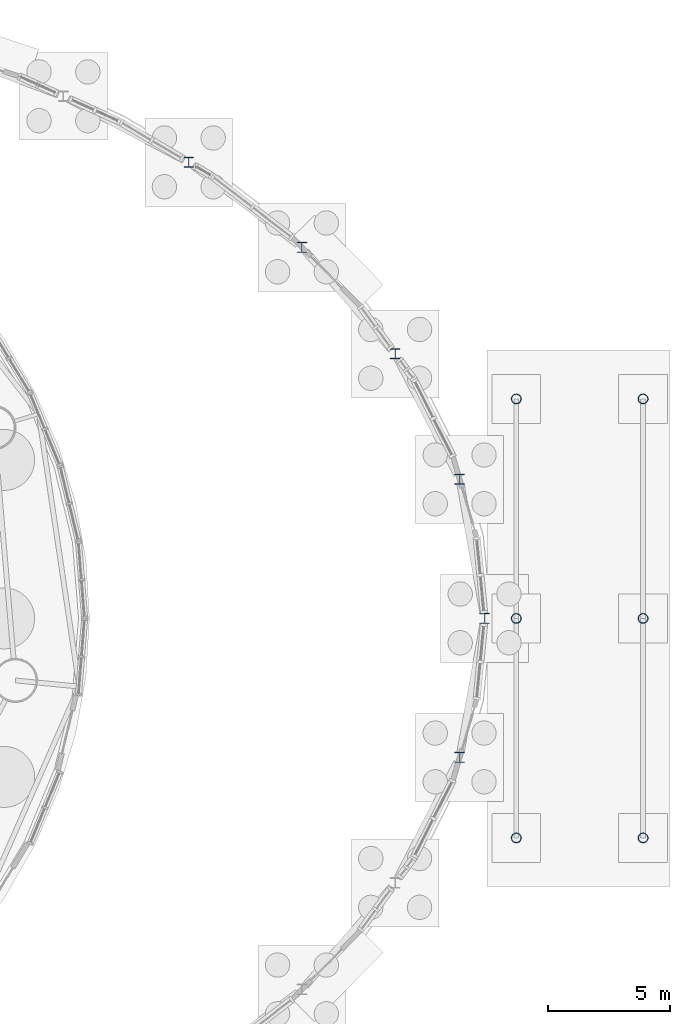
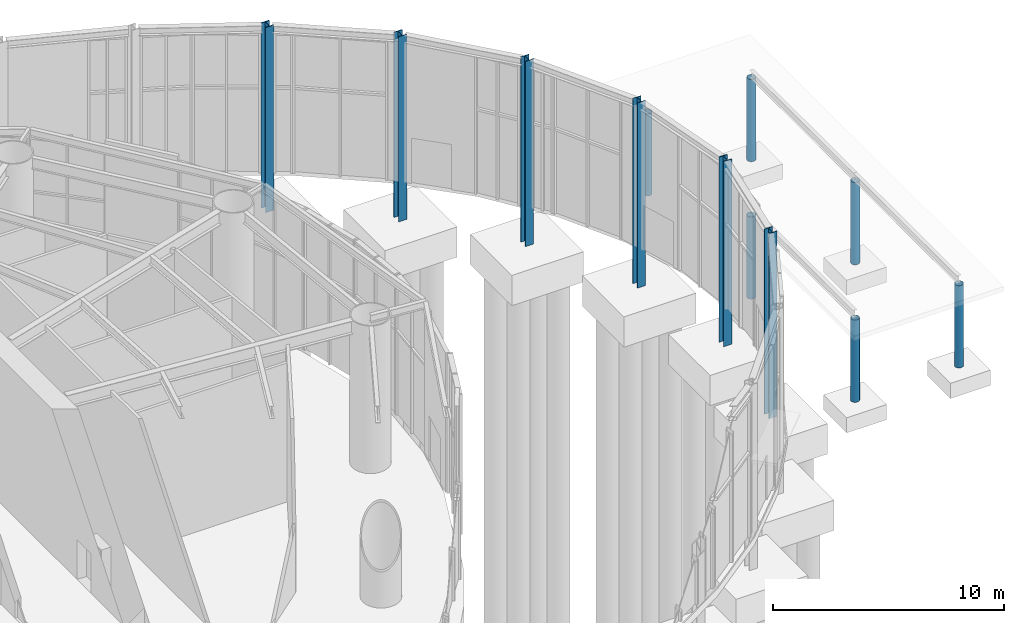
# One storey, part 4 of 27: 12 columns.
"""IFC4 building model written with IfcOpenShell, lengths in metres."""

import ifcopenshell
import ifcopenshell.guid

model = None  # the IFC model being written
_history = None  # IfcOwnerHistory: only IFC2X3 demands one
_inside = {}  # id of a spatial element -> (the spatial element, [elements in it])
_under = {}  # id of a project, library or spatial element -> (it, [spatial elements below it])
_declared = {}  # id of a project -> (the project, [libraries it declares])
_typed = {}  # id of a type object -> (the type object, [elements of that type])
_made_of = {}  # id of a material, layer set ... -> (it, [elements and type objects made of it])


def new_model(schema):
    """Start an empty IFC model of exactly this schema.

    Asked for "IFC4X3", IfcOpenShell would pick the latest addendum, in which some entities
    have other attributes; the version numbers below select the first issue.
    IFC2X3 requires an IfcOwnerHistory on every rooted entity: one is made here for all.
    """
    global model, _history
    if schema == "IFC4X3":
        model = ifcopenshell.file(schema_version=(4, 3, 0, 0))
    else:
        model = ifcopenshell.file(schema=schema)
    _inside.clear()
    _under.clear()
    _declared.clear()
    _typed.clear()
    _made_of.clear()
    _history = None
    if model.schema == "IFC2X3":
        org = make("IfcOrganization", Name="unknown")
        user = make(
            "IfcPersonAndOrganization",
            ThePerson=make("IfcPerson", FamilyName="unknown"),
            TheOrganization=org,
        )
        app = make(
            "IfcApplication",
            ApplicationDeveloper=org,
            Version="unknown",
            ApplicationFullName="unknown",
            ApplicationIdentifier="unknown",
        )
        _history = make(
            "IfcOwnerHistory",
            OwningUser=user,
            OwningApplication=app,
            ChangeAction="ADDED",
            CreationDate=0,
        )
    return model


def make(cls, **values):
    """One entity of the class cls with the attributes given. An attribute that is None is left unset."""
    return model.create_entity(
        cls, **{name: value for name, value in values.items() if value is not None}
    )


def rooted(cls, **values):
    """An entity with a GlobalId (a new one), such as an element, a storey or a relation."""
    return make(cls, GlobalId=ifcopenshell.guid.new(), OwnerHistory=_history, **values)


def si_unit(unit_type, name, prefix=None):
    """IfcSIUnit, for example si_unit("LENGTHUNIT", "METRE", prefix="MILLI")."""
    return make("IfcSIUnit", UnitType=unit_type, Prefix=prefix, Name=name)


def assignment(units):
    """IfcUnitAssignment: the units of a project."""
    return None if units is None else make("IfcUnitAssignment", Units=units)


def point(xyz):
    """IfcCartesianPoint."""
    return None if xyz is None else make("IfcCartesianPoint", Coordinates=xyz)


def direction(xyz):
    """IfcDirection."""
    return None if xyz is None else make("IfcDirection", DirectionRatios=xyz)


def frame(location, z_axis=None, x_axis=None):
    """IfcAxis2Placement3D, a coordinate frame: its origin and axes. An axis left out is left unset."""
    return make(
        "IfcAxis2Placement3D",
        Location=point(location),
        Axis=direction(z_axis),
        RefDirection=direction(x_axis),
    )


def frame_2d(location, x_axis=None):
    """IfcAxis2Placement2D, a coordinate frame in the plane: its origin and x axis."""
    return make(
        "IfcAxis2Placement2D", Location=point(location), RefDirection=direction(x_axis)
    )


def origin():
    """The frame at (0, 0, 0) with its axes left unset."""
    return frame((0.0, 0.0, 0.0))


def origin_2d():
    """The frame at (0, 0) in the plane with its x axis left unset."""
    return frame_2d((0.0, 0.0))


def place(relative_to, where):
    """IfcLocalPlacement: puts the frame where relative to a parent placement (None: the world)."""
    return make(
        "IfcLocalPlacement", PlacementRelTo=relative_to, RelativePlacement=where
    )


def context(
    kind, dimensions, precision=None, world=None, true_north=None, identifier=None
):
    """IfcGeometricRepresentationContext, for example the 3D "Model" context."""
    return make(
        "IfcGeometricRepresentationContext",
        ContextIdentifier=identifier,
        ContextType=kind,
        CoordinateSpaceDimension=dimensions,
        Precision=precision,
        WorldCoordinateSystem=world,
        TrueNorth=true_north,
    )


def subcontext(parent, identifier, kind, view, scale=None):
    """IfcGeometricRepresentationSubContext, for example "Body" below "Model"."""
    return make(
        "IfcGeometricRepresentationSubContext",
        ContextIdentifier=identifier,
        ContextType=kind,
        ParentContext=parent,
        TargetScale=scale,
        TargetView=view,
    )


def project(units=None, contexts=None):
    """IfcProject with its units and contexts."""
    return rooted(
        "IfcProject",
        Name="project",
        RepresentationContexts=contexts,
        UnitsInContext=assignment(units),
    )


def spatial(cls, under=None, at=None, **own):
    """A site, building, storey or space (cls), placed at a placement, below another one or the project."""
    s = rooted(cls, ObjectPlacement=at, **own)
    if under is not None:
        _under.setdefault(under.id(), (under, []))[1].append(s)
    return s


def profile(cls, at=None, kind="AREA", **sizes):
    """A parametric profile (cls). Its sizes go by their IFC names, for example OverallWidth=200.0."""
    return make(cls, ProfileType=kind, Position=at, **sizes)


def hollow_circle(**sizes):
    """IfcCircleHollowProfileDef."""
    return profile("IfcCircleHollowProfileDef", **sizes)


def i_section(**sizes):
    """IfcIShapeProfileDef."""
    return profile("IfcIShapeProfileDef", **sizes)


def extrude(swept, where, along, depth):
    """IfcExtrudedAreaSolid: the profile swept, set in the frame where, extruded along a direction by depth."""
    return make(
        "IfcExtrudedAreaSolid",
        SweptArea=swept,
        Position=where,
        ExtrudedDirection=direction(along),
        Depth=depth,
    )


def shape(context_of_items, identifier, shape_type, items):
    """IfcShapeRepresentation: the items that make up one representation, for example the "Body"."""
    return make(
        "IfcShapeRepresentation",
        ContextOfItems=context_of_items,
        RepresentationIdentifier=identifier,
        RepresentationType=shape_type,
        Items=items,
    )


def material(Name=None, Category=None):
    """IfcMaterial."""
    return make("IfcMaterial", Name=Name, Category=Category)


def material_profile(
    of_material, cross_section, Name=None, Category=None, Priority=None
):
    """IfcMaterialProfile: a cross section and its material."""
    return make(
        "IfcMaterialProfile",
        Name=Name,
        Material=of_material,
        Profile=cross_section,
        Priority=Priority,
        Category=Category,
    )


def profile_set(profiles, Name=None, composite=None):
    """IfcMaterialProfileSet."""
    return make(
        "IfcMaterialProfileSet",
        Name=Name,
        MaterialProfiles=profiles,
        CompositeProfile=composite,
    )


def made_of(thing, what):
    """Note that an element or type object is made of a material, layer set ...; save() writes the relation."""
    if what is not None:
        _made_of.setdefault(what.id(), (what, []))[1].append(thing)
    return thing


def type_object(cls, material=None, **own):
    """A type object (cls), such as IfcWallType, which elements share."""
    return made_of(rooted(cls, **own), material)


def element(
    cls,
    number,
    at=None,
    inside=None,
    cuts=None,
    type_object=None,
    material=None,
    context=None,
    identifier="Body",
    shape_type=None,
    held_by="IfcProductDefinitionShape",
    body=None,
    shapes=None,
    **own,
):
    """One element of the class cls, such as IfcWall. Its Tag is "e" and its number.

    at: its placement. inside: the storey or other place that contains it. cuts: it is an
    opening in that element (IfcRelVoidsElement). A single representation is given by context,
    identifier, shape_type and body (its items); several are given by shapes. held_by: the class
    of the entity that holds the representations. save() writes the other relations.
    """
    e = rooted(cls, Tag="e%d" % number, ObjectPlacement=at, **own)
    if body is not None:
        shapes = [shape(context, identifier, shape_type, body)]
    if shapes is not None:
        e.Representation = make(held_by, Representations=shapes)
    if inside is not None:
        _inside.setdefault(inside.id(), (inside, []))[1].append(e)
    if cuts is not None:
        rooted(
            "IfcRelVoidsElement", RelatingBuildingElement=cuts, RelatedOpeningElement=e
        )
    if type_object is not None:
        _typed.setdefault(type_object.id(), (type_object, []))[1].append(e)
    return made_of(e, material)


def aggregate(whole, parts):
    """IfcRelAggregates: a whole, such as a stair, and the parts it consists of."""
    return rooted("IfcRelAggregates", RelatingObject=whole, RelatedObjects=parts)


def save(model, path):
    """Write the relations noted so far, then the file.

    IfcRelAggregates (storeys below a building ...), IfcRelContainedInSpatialStructure (elements
    in a storey), IfcRelDefinesByType, IfcRelAssociatesMaterial and IfcRelDeclares: one each for
    every whole, place, type object, material and project.
    """
    for whole, parts in _under.values():
        aggregate(whole, parts)
    for where, things in _inside.values():
        rooted(
            "IfcRelContainedInSpatialStructure",
            RelatedElements=things,
            RelatingStructure=where,
        )
    for kind, things in _typed.values():
        rooted("IfcRelDefinesByType", RelatedObjects=things, RelatingType=kind)
    for what, things in _made_of.values():
        rooted("IfcRelAssociatesMaterial", RelatedObjects=things, RelatingMaterial=what)
    for by, libraries in _declared.values():
        rooted("IfcRelDeclares", RelatingContext=by, RelatedDefinitions=libraries)
    model.write(path)


model = new_model("IFC4")

# Units and contexts
model_context = context("Model", 3, precision=1e-05, world=origin(), true_north=direction((0.0, 1.0)))
body_context = subcontext(model_context, "Body", "Model", "MODEL_VIEW")
ifc_project = project(units=[si_unit("LENGTHUNIT", "METRE"), si_unit("AREAUNIT", "SQUARE_METRE"), si_unit("VOLUMEUNIT", "CUBIC_METRE"), si_unit("PLANEANGLEUNIT", "RADIAN"), si_unit("MASSUNIT", "GRAM", prefix="KILO")], contexts=[model_context])

# Site, building, storey
site_placement = place(None, origin())
site = spatial("IfcSite", under=ifc_project, at=site_placement, CompositionType="ELEMENT")
building_placement = place(site_placement, origin())
building = spatial("IfcBuilding", under=site, at=building_placement, Name="Vermilion Reach Broadcast Tower", CompositionType="ELEMENT")
storey_placement = place(building_placement, origin())
storey = spatial("IfcBuildingStorey", under=building, at=storey_placement, Name="L00", CompositionType="ELEMENT", Elevation=0.0)

# Columns
ifc_material_1 = material(Name="Steel S460NL", Category="steel")
ifc_material_profile_1 = material_profile(ifc_material_1, i_section(OverallWidth=0.406982421875, OverallDepth=0.427978515625, WebThickness=0.02001953125, FlangeThickness=0.034912109375, at=origin_2d()), Name="S460NL HW 428x407x20x35")
ifc_profile_set_1 = profile_set([ifc_material_profile_1], Name="Steel S460NL")
column_type_1 = type_object("IfcColumnType", Name="AP HW 428x407x20x35", PredefinedType="COLUMN", material=ifc_profile_set_1)
for number, where, z_axis, x_axis, name in (
    (1, (38.6767578125, -5.701416015625, -2.0), (0.0, 0.0, 1.0), (1.0, 0.0, 0.0), "Atrium post AP07"),
    (2, (39.699951171875, 0.0, -2.0), (0.0, 0.0, 1.0), (1.0, 0.0, 0.0), "Atrium post AP08"),
    (3, (38.6767578125, 5.701416015625, -2.0), (0.0, 0.0, 1.0), (1.0, 0.0, 0.0), "Atrium post AP09"),
    (4, (36.033935546875, 10.847412109375, -2.0), (0.0, 0.0, 1.0), (1.0, 0.0, 0.0), "Atrium post AP10"),
    (5, (32.211669921875, 15.213134765625, -2.0), (0.0, 0.0, 1.0), (1.0, 0.0, 0.0), "Atrium post AP11"),
    (6, (27.570556640625, 18.70068359375, -2.0), (0.0, 0.0, 1.0), (1.0, 0.0, 0.0), "Atrium post AP12"),
):
    element("IfcColumn", number, at=place(storey_placement, frame(where, z_axis=z_axis, x_axis=x_axis)), inside=storey, type_object=column_type_1, Name=name, PredefinedType="COLUMN", context=body_context, shape_type="SweptSolid", body=[
        extrude(i_section(OverallWidth=0.406982421875, OverallDepth=0.427978515625, WebThickness=0.02001953125, FlangeThickness=0.034912109375, at=origin_2d()), origin(), (0.0, 0.0, 1.0), 9.800048828125),
    ])
ifc_material_2 = material(Name="Steel S355J2H", Category="steel")
ifc_material_profile_2 = material_profile(ifc_material_2, hollow_circle(Radius=0.203125, WallThickness=0.01611328125, at=origin_2d()), Name="S355J2H CHS 406x16")
ifc_profile_set_2 = profile_set([ifc_material_profile_2], Name="Steel S355J2H")
column_type_2 = type_object("IfcColumnType", Name="Canopy column CHS 406x16", PredefinedType="COLUMN", material=ifc_profile_set_2)
for number, where, z_axis, x_axis, name in (
    (7, (41.0, -9.0, 0.0), (0.0, 0.0, 1.0), (1.0, 0.0, 0.0), "Canopy column 1.1"),
    (8, (41.0, 0.0, 0.0), (0.0, 0.0, 1.0), (1.0, 0.0, 0.0), "Canopy column 1.2"),
    (9, (41.0, 9.0, 0.0), (0.0, 0.0, 1.0), (1.0, 0.0, 0.0), "Canopy column 1.3"),
    (10, (46.199951171875, -9.0, 0.0), (0.0, 0.0, 1.0), (1.0, 0.0, 0.0), "Canopy column 2.1"),
    (11, (46.199951171875, 0.0, 0.0), (0.0, 0.0, 1.0), (1.0, 0.0, 0.0), "Canopy column 2.2"),
    (12, (46.199951171875, 9.0, 0.0), (0.0, 0.0, 1.0), (1.0, 0.0, 0.0), "Canopy column 2.3"),
):
    element("IfcColumn", number, at=place(storey_placement, frame(where, z_axis=z_axis, x_axis=x_axis)), inside=storey, type_object=column_type_2, Name=name, PredefinedType="COLUMN", context=body_context, shape_type="SweptSolid", body=[
        extrude(hollow_circle(Radius=0.203125, WallThickness=0.01611328125, at=origin_2d()), origin(), (0.0, 0.0, 1.0), 4.35009765625),
    ])

save(model, "model.ifc")
